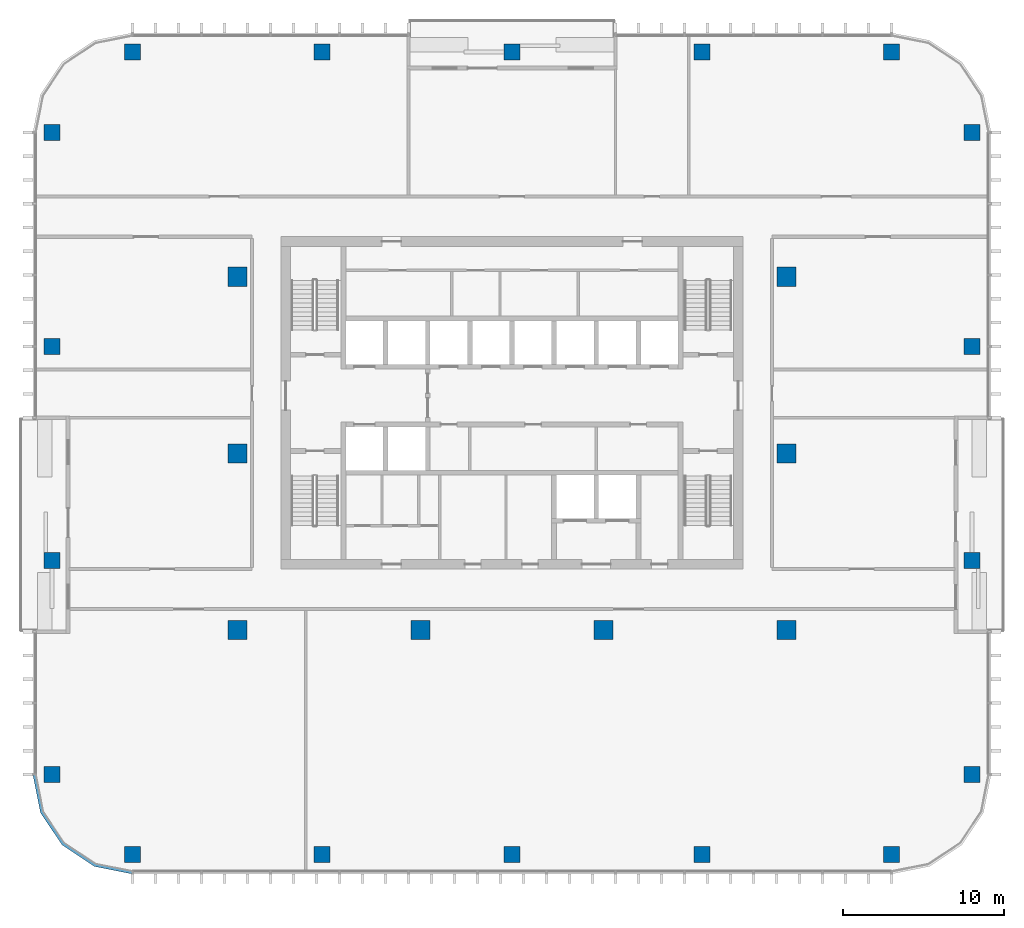
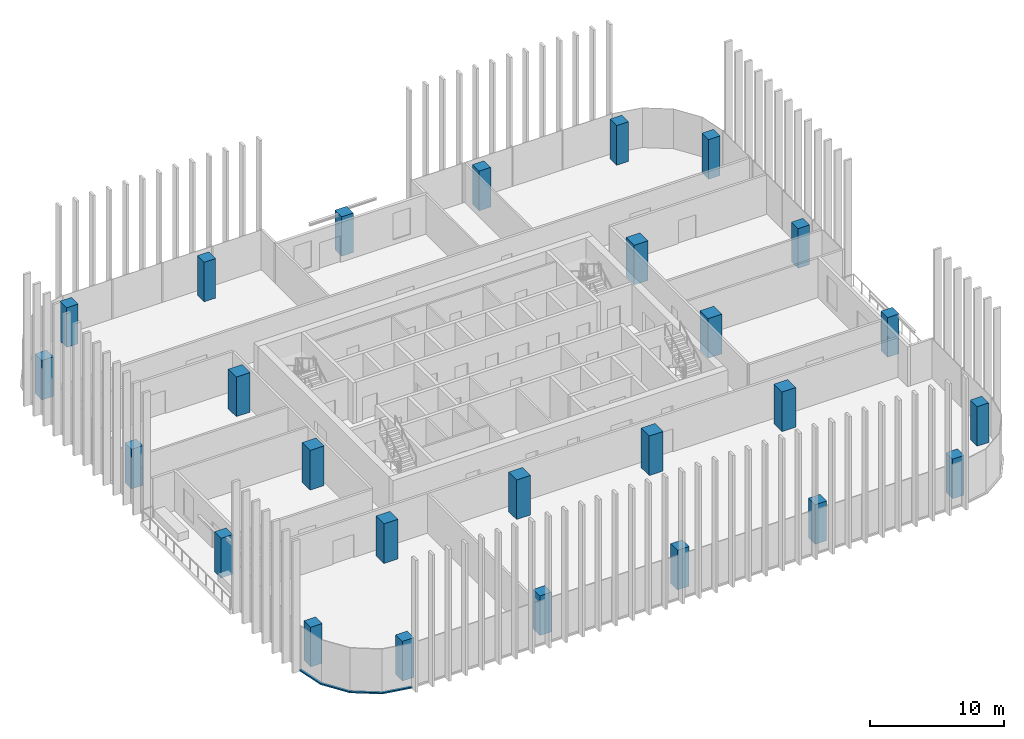
# One storey, part 1 of 16: 26 columns, 1 member, 1 element without a shape of its own.
"""IFC4 building model written with IfcOpenShell, lengths in metres."""

from ifc_helpers import new_model, si_unit, direction, frame, origin, origin_2d, place, context, subcontext, project, spatial, polyline, rectangle, outline, extrude, material, material_profile, profile_set, type_object, element, aggregate, save


model = new_model("IFC4")

# Units and contexts
model_context = context("Model", 3, precision=1e-05, world=origin(), true_north=direction((0.0, 1.0)))
body_context = subcontext(model_context, "Body", "Model", "MODEL_VIEW")
ifc_project = project(units=[si_unit("LENGTHUNIT", "METRE"), si_unit("AREAUNIT", "SQUARE_METRE"), si_unit("VOLUMEUNIT", "CUBIC_METRE"), si_unit("PLANEANGLEUNIT", "RADIAN"), si_unit("MASSUNIT", "GRAM", prefix="KILO")], contexts=[model_context])

# Site, building, storey
site_placement = place(None, origin())
site = spatial("IfcSite", under=ifc_project, at=site_placement, CompositionType="ELEMENT")
building_placement = place(site_placement, origin())
building = spatial("IfcBuilding", under=site, at=building_placement, Name="Mopane Tessera Tower", CompositionType="ELEMENT")
storey_placement = place(building_placement, frame((0.0, 0.0, 279.39990234375)))
storey = spatial("IfcBuildingStorey", under=building, at=storey_placement, Name="L60", CompositionType="ELEMENT", Elevation=279.39990234375)

# Columns
ifc_material_1 = material(Name="Concrete C40/50", Category="concrete")
ifc_material_profile_1 = material_profile(ifc_material_1, rectangle(XDim=1.199951171875, YDim=1.199951171875, at=origin_2d()))
ifc_profile_set_1 = profile_set([ifc_material_profile_1], Name="Concrete C40/50")
column_type_1 = type_object("IfcColumnType", Name="Interior column 1200 x 1200 C40/50", PredefinedType="COLUMN", material=ifc_profile_set_1)
for number, where, z_axis, x_axis, name in (
    (1, (-17.10009765625, -11.0, 0.0), (0.0, 0.0, 1.0), (1.0, 0.0, 0.0), "Interior column I1A L60"),
    (2, (-17.10009765625, 0.0, 0.0), (0.0, 0.0, 1.0), (1.0, 0.0, 0.0), "Interior column I1B L60"),
    (3, (-17.10009765625, 11.0, 0.0), (0.0, 0.0, 1.0), (1.0, 0.0, 0.0), "Interior column I1C L60"),
    (4, (-5.699951171875, -11.0, 0.0), (0.0, 0.0, 1.0), (1.0, 0.0, 0.0), "Interior column I2A L60"),
    (5, (5.699951171875, -11.0, 0.0), (0.0, 0.0, 1.0), (1.0, 0.0, 0.0), "Interior column I3A L60"),
    (6, (17.10009765625, -11.0, 0.0), (0.0, 0.0, 1.0), (1.0, 0.0, 0.0), "Interior column I4A L60"),
    (7, (17.10009765625, 0.0, 0.0), (0.0, 0.0, 1.0), (1.0, 0.0, 0.0), "Interior column I4B L60"),
    (8, (17.10009765625, 11.0, 0.0), (0.0, 0.0, 1.0), (1.0, 0.0, 0.0), "Interior column I4C L60"),
):
    element("IfcColumn", number, at=place(storey_placement, frame(where, z_axis=z_axis, x_axis=x_axis)), inside=storey, type_object=column_type_1, Name=name, PredefinedType="COLUMN", context=body_context, shape_type="SweptSolid", body=[
        extrude(rectangle(XDim=1.199951171875, YDim=1.199951171875, at=origin_2d()), origin(), (0.0, 0.0, 1.0), 3.60009765625),
    ])
ifc_material_2 = material(Name="Concrete C40/50", Category="concrete")
ifc_material_profile_2 = material_profile(ifc_material_2, rectangle(XDim=1.0, YDim=1.0, at=origin_2d()))
ifc_profile_set_2 = profile_set([ifc_material_profile_2], Name="Concrete C40/50")
column_type_2 = type_object("IfcColumnType", Name="Ring column 1000 x 1000 C40/50", PredefinedType="COLUMN", material=ifc_profile_set_2)
for number, where, z_axis, x_axis, name in (
    (9, (-23.64990234375, -25.0, 0.0), (0.0, 0.0, 1.0), (1.0, 0.0, 0.0), "Ring column S0 L60"),
    (10, (-11.824951171875, -25.0, 0.0), (0.0, 0.0, 1.0), (1.0, 0.0, 0.0), "Ring column S1 L60"),
    (11, (0.0, -25.0, 0.0), (0.0, 0.0, 1.0), (1.0, 0.0, 0.0), "Ring column S2 L60"),
    (12, (11.824951171875, -25.0, 0.0), (0.0, 0.0, 1.0), (1.0, 0.0, 0.0), "Ring column S3 L60"),
    (13, (23.64990234375, -25.0, 0.0), (0.0, 0.0, 1.0), (1.0, 0.0, 0.0), "Ring column S4 L60"),
    (14, (28.64990234375, -20.0, 0.0), (0.0, 0.0, 1.0), (1.0, 0.0, 0.0), "Ring column E0 L60"),
    (15, (28.64990234375, -6.666748046875, 0.0), (0.0, 0.0, 1.0), (1.0, 0.0, 0.0), "Ring column E1 L60"),
    (16, (28.64990234375, 6.666748046875, 0.0), (0.0, 0.0, 1.0), (1.0, 0.0, 0.0), "Ring column E2 L60"),
    (17, (28.64990234375, 20.0, 0.0), (0.0, 0.0, 1.0), (1.0, 0.0, 0.0), "Ring column E3 L60"),
    (18, (23.64990234375, 25.0, 0.0), (0.0, 0.0, 1.0), (1.0, 0.0, 0.0), "Ring column N0 L60"),
    (19, (11.824951171875, 25.0, 0.0), (0.0, 0.0, 1.0), (1.0, 0.0, 0.0), "Ring column N1 L60"),
    (20, (0.0, 25.0, 0.0), (0.0, 0.0, 1.0), (1.0, 0.0, 0.0), "Ring column N2 L60"),
    (21, (-11.824951171875, 25.0, 0.0), (0.0, 0.0, 1.0), (1.0, 0.0, 0.0), "Ring column N3 L60"),
    (22, (-23.64990234375, 25.0, 0.0), (0.0, 0.0, 1.0), (1.0, 0.0, 0.0), "Ring column N4 L60"),
    (23, (-28.64990234375, 20.0, 0.0), (0.0, 0.0, 1.0), (1.0, 0.0, 0.0), "Ring column W0 L60"),
    (24, (-28.64990234375, 6.666748046875, 0.0), (0.0, 0.0, 1.0), (1.0, 0.0, 0.0), "Ring column W1 L60"),
    (25, (-28.64990234375, -6.666748046875, 0.0), (0.0, 0.0, 1.0), (1.0, 0.0, 0.0), "Ring column W2 L60"),
    (26, (-28.64990234375, -20.0, 0.0), (0.0, 0.0, 1.0), (1.0, 0.0, 0.0), "Ring column W3 L60"),
):
    element("IfcColumn", number, at=place(storey_placement, frame(where, z_axis=z_axis, x_axis=x_axis)), inside=storey, type_object=column_type_2, Name=name, PredefinedType="COLUMN", context=body_context, shape_type="SweptSolid", body=[
        extrude(rectangle(XDim=1.0, YDim=1.0, at=origin_2d()), origin(), (0.0, 0.0, 1.0), 3.60009765625),
    ])

# Curtain wall, member
ifc_material_3 = material(Name="Aluminium frame", Category="aluminium")
curtain_wall_type = type_object("IfcCurtainWallType", Name="Unitised curtain wall", PredefinedType="NOTDEFINED", material=ifc_material_3)
curtain_wall_placement = place(storey_placement, origin())
curtain_wall = element("IfcCurtainWall", 27, at=curtain_wall_placement, inside=storey, type_object=curtain_wall_type, Name="e:cw:L60:CW", PredefinedType="NOTDEFINED")
ifc_material_4 = material(Name="Aluminium frame", Category="aluminium")
ifc_material_profile_3 = material_profile(ifc_material_4, rectangle(XDim=0.199951171875, YDim=0.1201171875, at=origin_2d()))
ifc_profile_set_3 = profile_set([ifc_material_profile_3], Name="Aluminium frame")
member_type = type_object("IfcMemberType", Name="Aluminium transom 200 x 120", PredefinedType="USERDEFINED", material=ifc_profile_set_3)
member_placement = place(storey_placement, frame((0.0, 0.0, -0.39990234375)))
member = element("IfcMember", 28, at=member_placement, type_object=member_type, Name="e:cw:L60:CW:tr", ObjectType="TRANSOM", PredefinedType="USERDEFINED", context=body_context, shape_type="SweptSolid", body=[
    extrude(outline(polyline([(-29.64990234375, -20.0), (-29.193359375, -22.296142578125), (-27.892578125, -24.24267578125), (-25.946044921875, -25.543212890625), (-23.64990234375, -26.0), (-23.64990234375, -26.199951171875), (-26.022705078125, -25.72802734375), (-28.0341796875, -24.384033203125), (-29.378173828125, -22.37255859375), (-29.85009765625, -20.0), (-29.64990234375, -20.0)])), origin(), (0.0, 0.0, 1.0), 0.1201171875),
])
aggregate(curtain_wall, [member])

save(model, "model.ifc")
